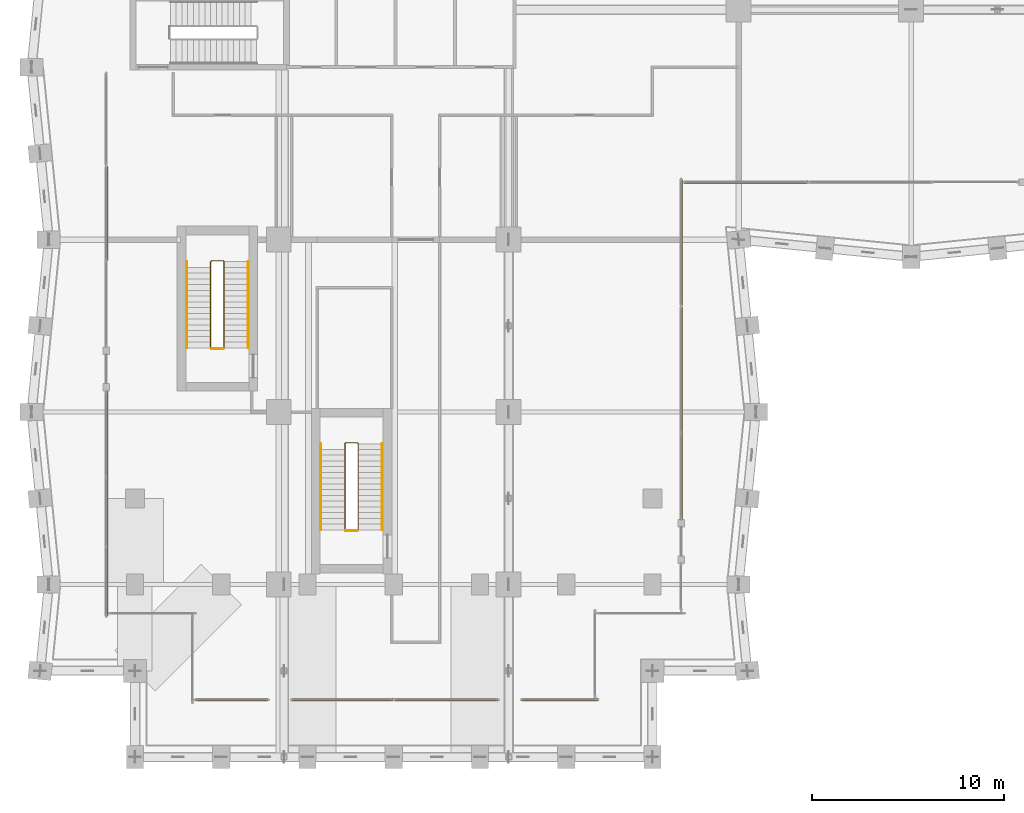
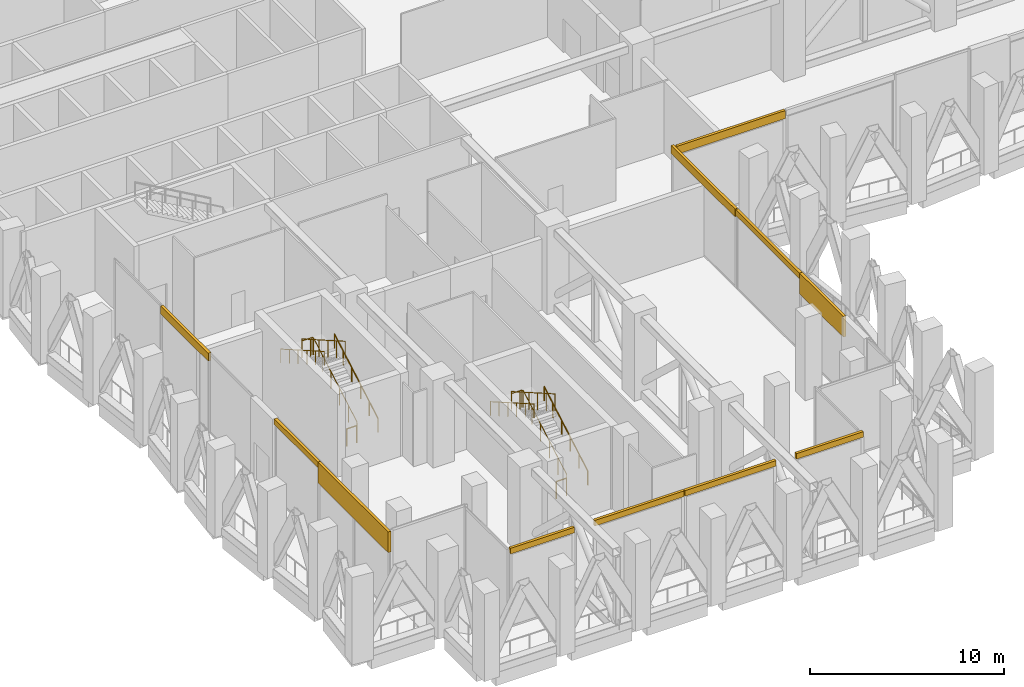
# One storey, part 32 of 37: 11 coverings, 8 railings.
"""IFC4 building model written with IfcOpenShell, lengths in metres."""

import ifcopenshell
import ifcopenshell.guid

model = None  # the IFC model being written
_history = None  # IfcOwnerHistory: only IFC2X3 demands one
_inside = {}  # id of a spatial element -> (the spatial element, [elements in it])
_under = {}  # id of a project, library or spatial element -> (it, [spatial elements below it])
_declared = {}  # id of a project -> (the project, [libraries it declares])
_typed = {}  # id of a type object -> (the type object, [elements of that type])
_made_of = {}  # id of a material, layer set ... -> (it, [elements and type objects made of it])


def new_model(schema):
    """Start an empty IFC model of exactly this schema.

    Asked for "IFC4X3", IfcOpenShell would pick the latest addendum, in which some entities
    have other attributes; the version numbers below select the first issue.
    IFC2X3 requires an IfcOwnerHistory on every rooted entity: one is made here for all.
    """
    global model, _history
    if schema == "IFC4X3":
        model = ifcopenshell.file(schema_version=(4, 3, 0, 0))
    else:
        model = ifcopenshell.file(schema=schema)
    _inside.clear()
    _under.clear()
    _declared.clear()
    _typed.clear()
    _made_of.clear()
    _history = None
    if model.schema == "IFC2X3":
        org = make("IfcOrganization", Name="unknown")
        user = make(
            "IfcPersonAndOrganization",
            ThePerson=make("IfcPerson", FamilyName="unknown"),
            TheOrganization=org,
        )
        app = make(
            "IfcApplication",
            ApplicationDeveloper=org,
            Version="unknown",
            ApplicationFullName="unknown",
            ApplicationIdentifier="unknown",
        )
        _history = make(
            "IfcOwnerHistory",
            OwningUser=user,
            OwningApplication=app,
            ChangeAction="ADDED",
            CreationDate=0,
        )
    return model


def make(cls, **values):
    """One entity of the class cls with the attributes given. An attribute that is None is left unset."""
    return model.create_entity(
        cls, **{name: value for name, value in values.items() if value is not None}
    )


def rooted(cls, **values):
    """An entity with a GlobalId (a new one), such as an element, a storey or a relation."""
    return make(cls, GlobalId=ifcopenshell.guid.new(), OwnerHistory=_history, **values)


def si_unit(unit_type, name, prefix=None):
    """IfcSIUnit, for example si_unit("LENGTHUNIT", "METRE", prefix="MILLI")."""
    return make("IfcSIUnit", UnitType=unit_type, Prefix=prefix, Name=name)


def assignment(units):
    """IfcUnitAssignment: the units of a project."""
    return None if units is None else make("IfcUnitAssignment", Units=units)


def point(xyz):
    """IfcCartesianPoint."""
    return None if xyz is None else make("IfcCartesianPoint", Coordinates=xyz)


def direction(xyz):
    """IfcDirection."""
    return None if xyz is None else make("IfcDirection", DirectionRatios=xyz)


def frame(location, z_axis=None, x_axis=None):
    """IfcAxis2Placement3D, a coordinate frame: its origin and axes. An axis left out is left unset."""
    return make(
        "IfcAxis2Placement3D",
        Location=point(location),
        Axis=direction(z_axis),
        RefDirection=direction(x_axis),
    )


def frame_2d(location, x_axis=None):
    """IfcAxis2Placement2D, a coordinate frame in the plane: its origin and x axis."""
    return make(
        "IfcAxis2Placement2D", Location=point(location), RefDirection=direction(x_axis)
    )


def origin():
    """The frame at (0, 0, 0) with its axes left unset."""
    return frame((0.0, 0.0, 0.0))


def origin_2d():
    """The frame at (0, 0) in the plane with its x axis left unset."""
    return frame_2d((0.0, 0.0))


def place(relative_to, where):
    """IfcLocalPlacement: puts the frame where relative to a parent placement (None: the world)."""
    return make(
        "IfcLocalPlacement", PlacementRelTo=relative_to, RelativePlacement=where
    )


def context(
    kind, dimensions, precision=None, world=None, true_north=None, identifier=None
):
    """IfcGeometricRepresentationContext, for example the 3D "Model" context."""
    return make(
        "IfcGeometricRepresentationContext",
        ContextIdentifier=identifier,
        ContextType=kind,
        CoordinateSpaceDimension=dimensions,
        Precision=precision,
        WorldCoordinateSystem=world,
        TrueNorth=true_north,
    )


def subcontext(parent, identifier, kind, view, scale=None):
    """IfcGeometricRepresentationSubContext, for example "Body" below "Model"."""
    return make(
        "IfcGeometricRepresentationSubContext",
        ContextIdentifier=identifier,
        ContextType=kind,
        ParentContext=parent,
        TargetScale=scale,
        TargetView=view,
    )


def project(units=None, contexts=None):
    """IfcProject with its units and contexts."""
    return rooted(
        "IfcProject",
        Name="project",
        RepresentationContexts=contexts,
        UnitsInContext=assignment(units),
    )


def spatial(cls, under=None, at=None, **own):
    """A site, building, storey or space (cls), placed at a placement, below another one or the project."""
    s = rooted(cls, ObjectPlacement=at, **own)
    if under is not None:
        _under.setdefault(under.id(), (under, []))[1].append(s)
    return s


def profile(cls, at=None, kind="AREA", **sizes):
    """A parametric profile (cls). Its sizes go by their IFC names, for example OverallWidth=200.0."""
    return make(cls, ProfileType=kind, Position=at, **sizes)


def rectangle(**sizes):
    """IfcRectangleProfileDef."""
    return profile("IfcRectangleProfileDef", **sizes)


def circle(**sizes):
    """IfcCircleProfileDef."""
    return profile("IfcCircleProfileDef", **sizes)


def extrude(swept, where, along, depth):
    """IfcExtrudedAreaSolid: the profile swept, set in the frame where, extruded along a direction by depth."""
    return make(
        "IfcExtrudedAreaSolid",
        SweptArea=swept,
        Position=where,
        ExtrudedDirection=direction(along),
        Depth=depth,
    )


def shape(context_of_items, identifier, shape_type, items):
    """IfcShapeRepresentation: the items that make up one representation, for example the "Body"."""
    return make(
        "IfcShapeRepresentation",
        ContextOfItems=context_of_items,
        RepresentationIdentifier=identifier,
        RepresentationType=shape_type,
        Items=items,
    )


def material(Name=None, Category=None):
    """IfcMaterial."""
    return make("IfcMaterial", Name=Name, Category=Category)


def layer(
    of_material, thickness, ventilated=None, Name=None, Category=None, Priority=None
):
    """IfcMaterialLayer: one layer of a wall or slab, of a material (None: an air gap)."""
    return make(
        "IfcMaterialLayer",
        Material=of_material,
        LayerThickness=thickness,
        IsVentilated=ventilated,
        Name=Name,
        Category=Category,
        Priority=Priority,
    )


def layer_set(layers, Name=None):
    """IfcMaterialLayerSet."""
    return make("IfcMaterialLayerSet", MaterialLayers=layers, LayerSetName=Name)


def made_of(thing, what):
    """Note that an element or type object is made of a material, layer set ...; save() writes the relation."""
    if what is not None:
        _made_of.setdefault(what.id(), (what, []))[1].append(thing)
    return thing


def type_object(cls, material=None, **own):
    """A type object (cls), such as IfcWallType, which elements share."""
    return made_of(rooted(cls, **own), material)


def element(
    cls,
    number,
    at=None,
    inside=None,
    cuts=None,
    type_object=None,
    material=None,
    context=None,
    identifier="Body",
    shape_type=None,
    held_by="IfcProductDefinitionShape",
    body=None,
    shapes=None,
    **own,
):
    """One element of the class cls, such as IfcWall. Its Tag is "e" and its number.

    at: its placement. inside: the storey or other place that contains it. cuts: it is an
    opening in that element (IfcRelVoidsElement). A single representation is given by context,
    identifier, shape_type and body (its items); several are given by shapes. held_by: the class
    of the entity that holds the representations. save() writes the other relations.
    """
    e = rooted(cls, Tag="e%d" % number, ObjectPlacement=at, **own)
    if body is not None:
        shapes = [shape(context, identifier, shape_type, body)]
    if shapes is not None:
        e.Representation = make(held_by, Representations=shapes)
    if inside is not None:
        _inside.setdefault(inside.id(), (inside, []))[1].append(e)
    if cuts is not None:
        rooted(
            "IfcRelVoidsElement", RelatingBuildingElement=cuts, RelatedOpeningElement=e
        )
    if type_object is not None:
        _typed.setdefault(type_object.id(), (type_object, []))[1].append(e)
    return made_of(e, material)


def aggregate(whole, parts):
    """IfcRelAggregates: a whole, such as a stair, and the parts it consists of."""
    return rooted("IfcRelAggregates", RelatingObject=whole, RelatedObjects=parts)


def save(model, path):
    """Write the relations noted so far, then the file.

    IfcRelAggregates (storeys below a building ...), IfcRelContainedInSpatialStructure (elements
    in a storey), IfcRelDefinesByType, IfcRelAssociatesMaterial and IfcRelDeclares: one each for
    every whole, place, type object, material and project.
    """
    for whole, parts in _under.values():
        aggregate(whole, parts)
    for where, things in _inside.values():
        rooted(
            "IfcRelContainedInSpatialStructure",
            RelatedElements=things,
            RelatingStructure=where,
        )
    for kind, things in _typed.values():
        rooted("IfcRelDefinesByType", RelatedObjects=things, RelatingType=kind)
    for what, things in _made_of.values():
        rooted("IfcRelAssociatesMaterial", RelatedObjects=things, RelatingMaterial=what)
    for by, libraries in _declared.values():
        rooted("IfcRelDeclares", RelatingContext=by, RelatedDefinitions=libraries)
    model.write(path)


model = new_model("IFC4")

# Units and contexts
model_context = context("Model", 3, precision=1e-05, world=origin(), true_north=direction((0.0, 1.0)))
body_context = subcontext(model_context, "Body", "Model", "MODEL_VIEW")
ifc_project = project(units=[si_unit("LENGTHUNIT", "METRE"), si_unit("AREAUNIT", "SQUARE_METRE"), si_unit("VOLUMEUNIT", "CUBIC_METRE"), si_unit("PLANEANGLEUNIT", "RADIAN"), si_unit("MASSUNIT", "GRAM", prefix="KILO")], contexts=[model_context])

# Site, building, storey
site_placement = place(None, origin())
site = spatial("IfcSite", under=ifc_project, at=site_placement, CompositionType="ELEMENT")
building_placement = place(site_placement, origin())
building = spatial("IfcBuilding", under=site, at=building_placement, Name="Brondeck Convention Tower", CompositionType="ELEMENT")
storey_placement = place(building_placement, frame((0.0, 0.0, 137.89990234375)))
storey = spatial("IfcBuildingStorey", under=building, at=storey_placement, Name="L33", CompositionType="ELEMENT", Elevation=137.89990234375)

# Coverings
ifc_material_1 = material(Name="Aluminium, bronze anodised", Category="aluminium")
ifc_layer = layer(ifc_material_1, 0.10009765625)
ifc_layer_set = layer_set([ifc_layer], Name="Curtain wall spandrel panel, bronze anodised aluminium")
covering_type = type_object("IfcCoveringType", Name="Curtain wall spandrel panel, bronze anodised aluminium", PredefinedType="CLADDING", material=ifc_layer_set)
covering_1_placement = place(storey_placement, frame((9.550048828125, 3.0, 4.650146484375), z_axis=(0.0, 0.0, 1.0), x_axis=(-1.0, 0.0, 0.0)))
element("IfcCovering", 1, at=covering_1_placement, inside=storey, type_object=covering_type, Name="ENV-L33-003-CW30-SP", PredefinedType="CLADDING", context=body_context, shape_type="SweptSolid", body=[
    extrude(rectangle(XDim=3.800048828125, YDim=0.159912109375, at=origin_2d()), origin(), (0.0, 0.0, 1.0), 0.35009765625),
])
covering_2_placement = place(storey_placement, frame((15.320068359375, 3.0, 4.650146484375), z_axis=(0.0, 0.0, 1.0), x_axis=(-1.0, 0.0, 0.0)))
element("IfcCovering", 2, at=covering_2_placement, inside=storey, type_object=covering_type, Name="ENV-L33-004-CW30-SP", PredefinedType="CLADDING", context=body_context, shape_type="SweptSolid", body=[
    extrude(rectangle(XDim=5.300048828125, YDim=0.159912109375, at=origin_2d()), origin(), (0.0, 0.0, 1.0), 0.35009765625),
])
covering_3_placement = place(storey_placement, frame((20.739990234375, 3.0, 4.650146484375), z_axis=(0.0, 0.0, 1.0), x_axis=(-1.0, 0.0, 0.0)))
element("IfcCovering", 3, at=covering_3_placement, inside=storey, type_object=covering_type, Name="ENV-L33-004-CW31-SP", PredefinedType="CLADDING", context=body_context, shape_type="SweptSolid", body=[
    extrude(rectangle(XDim=5.419921875, YDim=0.159912109375, at=origin_2d()), origin(), (0.0, 0.0, 1.0), 0.35009765625),
])
covering_4_placement = place(storey_placement, frame((26.659912109375, 3.0, 4.650146484375), z_axis=(0.0, 0.0, 1.0), x_axis=(-1.0, 0.0, 0.0)))
element("IfcCovering", 4, at=covering_4_placement, inside=storey, type_object=covering_type, Name="ENV-L33-005-CW30-SP", PredefinedType="CLADDING", context=body_context, shape_type="SweptSolid", body=[
    extrude(rectangle(XDim=3.97998046875, YDim=0.159912109375, at=origin_2d()), origin(), (0.0, 0.0, 1.0), 0.35009765625),
])
covering_5_placement = place(storey_placement, frame((33.0, 14.64990234375, 3.7001953125), z_axis=(0.0, 0.0, 1.0), x_axis=(0.0, -1.0, 0.0)))
element("IfcCovering", 5, at=covering_5_placement, inside=storey, type_object=covering_type, Name="ENV-L33-010-CW30-SP", PredefinedType="CLADDING", context=body_context, shape_type="SweptSolid", body=[
    extrude(rectangle(XDim=4.5, YDim=0.159912109375, at=origin_2d()), origin(), (0.0, 0.0, 1.0), 1.300048828125),
])
covering_6_placement = place(storey_placement, frame((33.0, 20.197509765625, 4.650146484375), z_axis=(0.0, 0.0, 1.0), x_axis=(0.0, -1.0, 0.0)))
element("IfcCovering", 6, at=covering_6_placement, inside=storey, type_object=covering_type, Name="ENV-L33-011-CW30-SP", PredefinedType="CLADDING", context=body_context, shape_type="SweptSolid", body=[
    extrude(rectangle(XDim=6.594970703125, YDim=0.159912109375, at=origin_2d()), origin(), (0.0, 0.0, 1.0), 0.35009765625),
])
covering_7_placement = place(storey_placement, frame((33.0, 26.8525390625, 4.5), z_axis=(0.0, 0.0, 1.0), x_axis=(0.0, -1.0, 0.0)))
element("IfcCovering", 7, at=covering_7_placement, inside=storey, type_object=covering_type, Name="ENV-L33-011-CW31-SP", PredefinedType="CLADDING", context=body_context, shape_type="SweptSolid", body=[
    extrude(rectangle(XDim=6.594970703125, YDim=0.159912109375, at=origin_2d()), origin(), (0.0, 0.0, 1.0), 0.5),
])
covering_8_placement = place(storey_placement, frame((36.37109375, 30.0, 4.5), z_axis=(0.0, 0.0, 1.0), x_axis=(-1.0, 0.0, 0.0)))
element("IfcCovering", 8, at=covering_8_placement, inside=storey, type_object=covering_type, Name="ENV-L33-012-CW30-SP", PredefinedType="CLADDING", context=body_context, shape_type="SweptSolid", body=[
    extrude(rectangle(XDim=6.446044921875, YDim=0.159912109375, at=origin_2d()), origin(), (0.0, 0.0, 1.0), 0.5),
])
covering_9_placement = place(storey_placement, frame((3.0, 28.360107421875, 4.5), z_axis=(0.0, 0.0, 1.0), x_axis=(0.0, 1.0, 0.0)))
element("IfcCovering", 9, at=covering_9_placement, inside=storey, type_object=covering_type, Name="ENV-L33-029-CW31-SP", PredefinedType="CLADDING", context=body_context, shape_type="SweptSolid", body=[
    extrude(rectangle(XDim=4.919921875, YDim=0.159912109375, at=origin_2d()), origin(), (0.0, 0.0, 1.0), 0.5),
])
covering_10_placement = place(storey_placement, frame((3.0, 16.85009765625, 4.650146484375), z_axis=(0.0, 0.0, 1.0), x_axis=(0.0, 1.0, 0.0)))
element("IfcCovering", 10, at=covering_10_placement, inside=storey, type_object=covering_type, Name="ENV-L33-032-CW30-SP", PredefinedType="CLADDING", context=body_context, shape_type="SweptSolid", body=[
    extrude(rectangle(XDim=4.5, YDim=0.159912109375, at=origin_2d()), origin(), (0.0, 0.0, 1.0), 0.35009765625),
])
covering_11_placement = place(storey_placement, frame((3.0, 10.97509765625, 3.7001953125), z_axis=(0.0, 0.0, 1.0), x_axis=(0.0, 1.0, 0.0)))
element("IfcCovering", 11, at=covering_11_placement, inside=storey, type_object=covering_type, Name="ENV-L33-033-CW30-SP", PredefinedType="CLADDING", context=body_context, shape_type="SweptSolid", body=[
    extrude(rectangle(XDim=7.25, YDim=0.159912109375, at=origin_2d()), origin(), (0.0, 0.0, 1.0), 1.300048828125),
])

# Railings
ifc_material_2 = material(Name="Steel S355", Category="steel")
railing_type_1 = type_object("IfcRailingType", Name="Stair guard 1100", PredefinedType="GUARDRAIL", material=ifc_material_2)
railing_1_placement = place(storey_placement, frame((9.14990234375, 21.35009765625, 0.171875)))
element("IfcRailing", 12, at=railing_1_placement, inside=storey, type_object=railing_type_1, Name="L33 ST-BE stair guard 1", PredefinedType="GUARDRAIL", context=body_context, shape_type="SweptSolid", body=[
    extrude(circle(Radius=0.02392578125, at=origin_2d()), frame((0.0, 0.0, 1.076171875), z_axis=(0.0, 0.867686387293, 0.49711199272), x_axis=(-1.0, 0.0, 0.0)), (0.0, 0.0, 1.0), 5.186279296875),
    extrude(circle(Radius=0.02392578125, at=origin_2d()), frame((0.0, 4.5, 3.654296875), z_axis=(-0.707106781187, 0.707106781187, 0.0), x_axis=(-0.707106781187, -0.707106781187, 0.0)), (0.0, 0.0, 1.0), 0.0703125),
    extrude(circle(Radius=0.02392578125, at=origin_2d()), frame((-0.0498046875, 4.5498046875, 3.654296875), z_axis=(-1.0, 0.0, 0.0), x_axis=(0.0, -1.0, 0.0)), (0.0, 0.0, 1.0), 0.60009765625),
    extrude(circle(Radius=0.02392578125, at=origin_2d()), frame((-0.64990234375, 4.5498046875, 3.654296875), z_axis=(-0.26935076646, -0.268036860282, 0.924989949209), x_axis=(0.705375805398, -0.708833529934, 0.0)), (0.0, 0.0, 1.0), 0.185791015625),
    extrude(circle(Radius=0.02392578125, at=origin_2d()), frame((-0.699951171875, 4.5, 3.826171875), z_axis=(0.0, -0.867686387293, 0.49711199272), x_axis=(1.0, 0.0, 0.0)), (0.0, 0.0, 1.0), 5.186279296875),
    extrude(circle(Radius=0.02099609375, at=origin_2d()), origin(), (0.0, 0.0, 1.0), 1.052001953125),
    extrude(circle(Radius=0.02099609375, at=origin_2d()), frame((0.0, 0.89990234375, 0.515625)), (0.0, 0.0, 1.0), 1.052001953125),
    extrude(circle(Radius=0.02099609375, at=origin_2d()), frame((0.0, 1.800048828125, 1.03125)), (0.0, 0.0, 1.0), 1.052001953125),
    extrude(circle(Radius=0.02099609375, at=origin_2d()), frame((0.0, 2.699951171875, 1.546875)), (0.0, 0.0, 1.0), 1.052001953125),
    extrude(circle(Radius=0.02099609375, at=origin_2d()), frame((0.0, 3.60009765625, 2.0625)), (0.0, 0.0, 1.0), 1.052001953125),
    extrude(circle(Radius=0.02099609375, at=origin_2d()), frame((0.0, 4.5, 2.578125)), (0.0, 0.0, 1.0), 1.052001953125),
    extrude(circle(Radius=0.02099609375, at=origin_2d()), frame((-0.0498046875, 4.5498046875, 2.578125)), (0.0, 0.0, 1.0), 1.052001953125),
    extrude(circle(Radius=0.02099609375, at=origin_2d()), frame((-0.64990234375, 4.5498046875, 2.578125)), (0.0, 0.0, 1.0), 1.052001953125),
    extrude(circle(Radius=0.02099609375, at=origin_2d()), frame((-0.699951171875, 4.5, 2.75)), (0.0, 0.0, 1.0), 1.052001953125),
    extrude(circle(Radius=0.02099609375, at=origin_2d()), frame((-0.699951171875, 3.60009765625, 3.265625)), (0.0, 0.0, 1.0), 1.052001953125),
    extrude(circle(Radius=0.02099609375, at=origin_2d()), frame((-0.699951171875, 2.699951171875, 3.78125)), (0.0, 0.0, 1.0), 1.052001953125),
    extrude(circle(Radius=0.02099609375, at=origin_2d()), frame((-0.699951171875, 1.800048828125, 4.296875)), (0.0, 0.0, 1.0), 1.052001953125),
    extrude(circle(Radius=0.02099609375, at=origin_2d()), frame((-0.699951171875, 0.89990234375, 4.8125)), (0.0, 0.0, 1.0), 1.052001953125),
    extrude(circle(Radius=0.02099609375, at=origin_2d()), frame((-0.699951171875, 0.0, 5.328125)), (0.0, 0.0, 1.0), 1.052001953125),
])
railing_2_placement = place(storey_placement, frame((9.10009765625, 21.300048828125, 0.0)))
element("IfcRailing", 13, at=railing_2_placement, inside=storey, type_object=railing_type_1, Name="L33 ST-BE stair guard 2", PredefinedType="GUARDRAIL", context=body_context, shape_type="SweptSolid", body=[
    extrude(circle(Radius=0.02392578125, at=origin_2d()), frame((0.0, 0.0, 1.076171875), z_axis=(-1.0, 0.0, 0.0), x_axis=(0.0, -1.0, 0.0)), (0.0, 0.0, 1.0), 0.60009765625),
    extrude(circle(Radius=0.02099609375, at=origin_2d()), origin(), (0.0, 0.0, 1.0), 1.052001953125),
    extrude(circle(Radius=0.02099609375, at=origin_2d()), frame((-0.60009765625, 0.0, 0.0)), (0.0, 0.0, 1.0), 1.052001953125),
])
railing_3_placement = place(storey_placement, frame((16.14990234375, 11.85009765625, 0.171875)))
element("IfcRailing", 14, at=railing_3_placement, inside=storey, type_object=railing_type_1, Name="L33 ST-BF stair guard 1", PredefinedType="GUARDRAIL", context=body_context, shape_type="SweptSolid", body=[
    extrude(circle(Radius=0.02392578125, at=origin_2d()), frame((0.0, 0.0, 1.076171875), z_axis=(0.0, 0.867686387293, 0.49711199272), x_axis=(-1.0, 0.0, 0.0)), (0.0, 0.0, 1.0), 5.186279296875),
    extrude(circle(Radius=0.02392578125, at=origin_2d()), frame((0.0, 4.5, 3.654296875), z_axis=(-0.707106781187, 0.707106781187, 0.0), x_axis=(-0.707106781187, -0.707106781187, 0.0)), (0.0, 0.0, 1.0), 0.0703125),
    extrude(circle(Radius=0.02392578125, at=origin_2d()), frame((-0.0498046875, 4.5498046875, 3.654296875), z_axis=(-1.0, 0.0, 0.0), x_axis=(0.0, -1.0, 0.0)), (0.0, 0.0, 1.0), 0.60009765625),
    extrude(circle(Radius=0.02392578125, at=origin_2d()), frame((-0.64990234375, 4.5498046875, 3.654296875), z_axis=(-0.26935076646, -0.268036860282, 0.924989949209), x_axis=(0.705375805398, -0.708833529934, 0.0)), (0.0, 0.0, 1.0), 0.185791015625),
    extrude(circle(Radius=0.02392578125, at=origin_2d()), frame((-0.699951171875, 4.5, 3.826171875), z_axis=(0.0, -0.867686387293, 0.49711199272), x_axis=(1.0, 0.0, 0.0)), (0.0, 0.0, 1.0), 5.186279296875),
    extrude(circle(Radius=0.02099609375, at=origin_2d()), origin(), (0.0, 0.0, 1.0), 1.052001953125),
    extrude(circle(Radius=0.02099609375, at=origin_2d()), frame((0.0, 0.89990234375, 0.515625)), (0.0, 0.0, 1.0), 1.052001953125),
    extrude(circle(Radius=0.02099609375, at=origin_2d()), frame((0.0, 1.800048828125, 1.03125)), (0.0, 0.0, 1.0), 1.052001953125),
    extrude(circle(Radius=0.02099609375, at=origin_2d()), frame((0.0, 2.699951171875, 1.546875)), (0.0, 0.0, 1.0), 1.052001953125),
    extrude(circle(Radius=0.02099609375, at=origin_2d()), frame((0.0, 3.60009765625, 2.0625)), (0.0, 0.0, 1.0), 1.052001953125),
    extrude(circle(Radius=0.02099609375, at=origin_2d()), frame((0.0, 4.5, 2.578125)), (0.0, 0.0, 1.0), 1.052001953125),
    extrude(circle(Radius=0.02099609375, at=origin_2d()), frame((-0.0498046875, 4.5498046875, 2.578125)), (0.0, 0.0, 1.0), 1.052001953125),
    extrude(circle(Radius=0.02099609375, at=origin_2d()), frame((-0.64990234375, 4.5498046875, 2.578125)), (0.0, 0.0, 1.0), 1.052001953125),
    extrude(circle(Radius=0.02099609375, at=origin_2d()), frame((-0.699951171875, 4.5, 2.75)), (0.0, 0.0, 1.0), 1.052001953125),
    extrude(circle(Radius=0.02099609375, at=origin_2d()), frame((-0.699951171875, 3.60009765625, 3.265625)), (0.0, 0.0, 1.0), 1.052001953125),
    extrude(circle(Radius=0.02099609375, at=origin_2d()), frame((-0.699951171875, 2.699951171875, 3.78125)), (0.0, 0.0, 1.0), 1.052001953125),
    extrude(circle(Radius=0.02099609375, at=origin_2d()), frame((-0.699951171875, 1.800048828125, 4.296875)), (0.0, 0.0, 1.0), 1.052001953125),
    extrude(circle(Radius=0.02099609375, at=origin_2d()), frame((-0.699951171875, 0.89990234375, 4.8125)), (0.0, 0.0, 1.0), 1.052001953125),
    extrude(circle(Radius=0.02099609375, at=origin_2d()), frame((-0.699951171875, 0.0, 5.328125)), (0.0, 0.0, 1.0), 1.052001953125),
])
railing_4_placement = place(storey_placement, frame((16.10009765625, 11.800048828125, 0.0)))
element("IfcRailing", 15, at=railing_4_placement, inside=storey, type_object=railing_type_1, Name="L33 ST-BF stair guard 2", PredefinedType="GUARDRAIL", context=body_context, shape_type="SweptSolid", body=[
    extrude(circle(Radius=0.02392578125, at=origin_2d()), frame((0.0, 0.0, 1.076171875), z_axis=(-1.0, 0.0, 0.0), x_axis=(0.0, -1.0, 0.0)), (0.0, 0.0, 1.0), 0.60009765625),
    extrude(circle(Radius=0.02099609375, at=origin_2d()), origin(), (0.0, 0.0, 1.0), 1.052001953125),
    extrude(circle(Radius=0.02099609375, at=origin_2d()), frame((-0.60009765625, 0.0, 0.0)), (0.0, 0.0, 1.0), 1.052001953125),
])
railing_type_2 = type_object("IfcRailingType", Name="Stair handrail", PredefinedType="HANDRAIL", material=ifc_material_2)
railing_5_placement = place(storey_placement, frame((10.39990234375, 21.35009765625, 0.171875)))
element("IfcRailing", 16, at=railing_5_placement, inside=storey, type_object=railing_type_2, Name="L33 ST-BE stair handrail 1", PredefinedType="HANDRAIL", context=body_context, shape_type="SweptSolid", body=[
    extrude(circle(Radius=0.02392578125, at=origin_2d()), frame((0.0, 0.0, 0.8759765625), z_axis=(0.0, 0.867686387293, 0.49711199272), x_axis=(-1.0, 0.0, 0.0)), (0.0, 0.0, 1.0), 5.186279296875),
    extrude(circle(Radius=0.02099609375, at=origin_2d()), origin(), (0.0, 0.0, 1.0), 0.851806640625),
    extrude(circle(Radius=0.02099609375, at=origin_2d()), frame((0.0, 0.89990234375, 0.515625)), (0.0, 0.0, 1.0), 0.851806640625),
    extrude(circle(Radius=0.02099609375, at=origin_2d()), frame((0.0, 1.800048828125, 1.03125)), (0.0, 0.0, 1.0), 0.851806640625),
    extrude(circle(Radius=0.02099609375, at=origin_2d()), frame((0.0, 2.699951171875, 1.546875)), (0.0, 0.0, 1.0), 0.851806640625),
    extrude(circle(Radius=0.02099609375, at=origin_2d()), frame((0.0, 3.60009765625, 2.0625)), (0.0, 0.0, 1.0), 0.851806640625),
    extrude(circle(Radius=0.02099609375, at=origin_2d()), frame((0.0, 4.5, 2.578125)), (0.0, 0.0, 1.0), 0.851806640625),
])
railing_6_placement = place(storey_placement, frame((7.199951171875, 25.85009765625, 2.921875)))
element("IfcRailing", 17, at=railing_6_placement, inside=storey, type_object=railing_type_2, Name="L33 ST-BE stair handrail 2", PredefinedType="HANDRAIL", context=body_context, shape_type="SweptSolid", body=[
    extrude(circle(Radius=0.02392578125, at=origin_2d()), frame((0.0, 0.0, 0.8759765625), z_axis=(0.0, -0.867686387293, 0.49711199272), x_axis=(1.0, 0.0, 0.0)), (0.0, 0.0, 1.0), 5.186279296875),
    extrude(circle(Radius=0.02099609375, at=origin_2d()), origin(), (0.0, 0.0, 1.0), 0.851806640625),
    extrude(circle(Radius=0.02099609375, at=origin_2d()), frame((0.0, -0.89990234375, 0.515625)), (0.0, 0.0, 1.0), 0.851806640625),
    extrude(circle(Radius=0.02099609375, at=origin_2d()), frame((0.0, -1.800048828125, 1.03125)), (0.0, 0.0, 1.0), 0.851806640625),
    extrude(circle(Radius=0.02099609375, at=origin_2d()), frame((0.0, -2.699951171875, 1.546875)), (0.0, 0.0, 1.0), 0.851806640625),
    extrude(circle(Radius=0.02099609375, at=origin_2d()), frame((0.0, -3.60009765625, 2.0625)), (0.0, 0.0, 1.0), 0.851806640625),
    extrude(circle(Radius=0.02099609375, at=origin_2d()), frame((0.0, -4.5, 2.578125)), (0.0, 0.0, 1.0), 0.851806640625),
])
railing_7_placement = place(storey_placement, frame((17.39990234375, 11.85009765625, 0.171875)))
element("IfcRailing", 18, at=railing_7_placement, inside=storey, type_object=railing_type_2, Name="L33 ST-BF stair handrail 1", PredefinedType="HANDRAIL", context=body_context, shape_type="SweptSolid", body=[
    extrude(circle(Radius=0.02392578125, at=origin_2d()), frame((0.0, 0.0, 0.8759765625), z_axis=(0.0, 0.867686387293, 0.49711199272), x_axis=(-1.0, 0.0, 0.0)), (0.0, 0.0, 1.0), 5.186279296875),
    extrude(circle(Radius=0.02099609375, at=origin_2d()), origin(), (0.0, 0.0, 1.0), 0.851806640625),
    extrude(circle(Radius=0.02099609375, at=origin_2d()), frame((0.0, 0.89990234375, 0.515625)), (0.0, 0.0, 1.0), 0.851806640625),
    extrude(circle(Radius=0.02099609375, at=origin_2d()), frame((0.0, 1.800048828125, 1.03125)), (0.0, 0.0, 1.0), 0.851806640625),
    extrude(circle(Radius=0.02099609375, at=origin_2d()), frame((0.0, 2.699951171875, 1.546875)), (0.0, 0.0, 1.0), 0.851806640625),
    extrude(circle(Radius=0.02099609375, at=origin_2d()), frame((0.0, 3.60009765625, 2.0625)), (0.0, 0.0, 1.0), 0.851806640625),
    extrude(circle(Radius=0.02099609375, at=origin_2d()), frame((0.0, 4.5, 2.578125)), (0.0, 0.0, 1.0), 0.851806640625),
])
railing_8_placement = place(storey_placement, frame((14.199951171875, 16.35009765625, 2.921875)))
element("IfcRailing", 19, at=railing_8_placement, inside=storey, type_object=railing_type_2, Name="L33 ST-BF stair handrail 2", PredefinedType="HANDRAIL", context=body_context, shape_type="SweptSolid", body=[
    extrude(circle(Radius=0.02392578125, at=origin_2d()), frame((0.0, 0.0, 0.8759765625), z_axis=(0.0, -0.867686387293, 0.49711199272), x_axis=(1.0, 0.0, 0.0)), (0.0, 0.0, 1.0), 5.186279296875),
    extrude(circle(Radius=0.02099609375, at=origin_2d()), origin(), (0.0, 0.0, 1.0), 0.851806640625),
    extrude(circle(Radius=0.02099609375, at=origin_2d()), frame((0.0, -0.89990234375, 0.515625)), (0.0, 0.0, 1.0), 0.851806640625),
    extrude(circle(Radius=0.02099609375, at=origin_2d()), frame((0.0, -1.800048828125, 1.03125)), (0.0, 0.0, 1.0), 0.851806640625),
    extrude(circle(Radius=0.02099609375, at=origin_2d()), frame((0.0, -2.699951171875, 1.546875)), (0.0, 0.0, 1.0), 0.851806640625),
    extrude(circle(Radius=0.02099609375, at=origin_2d()), frame((0.0, -3.60009765625, 2.0625)), (0.0, 0.0, 1.0), 0.851806640625),
    extrude(circle(Radius=0.02099609375, at=origin_2d()), frame((0.0, -4.5, 2.578125)), (0.0, 0.0, 1.0), 0.851806640625),
])

save(model, "model.ifc")
